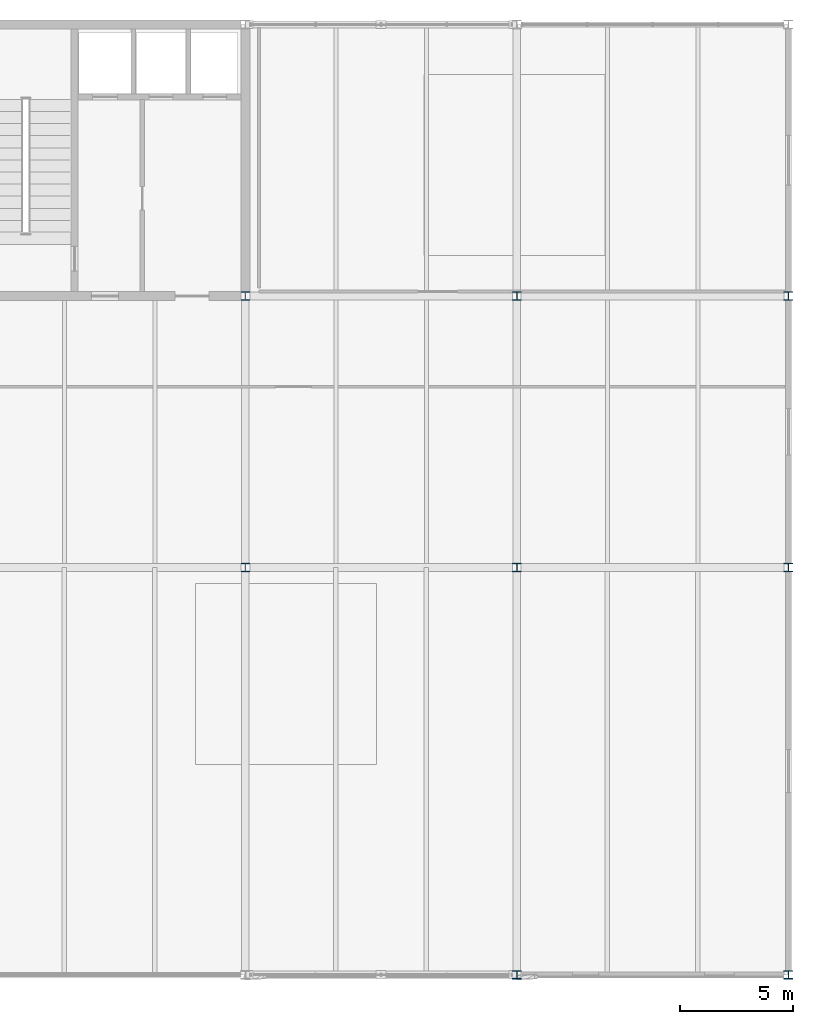
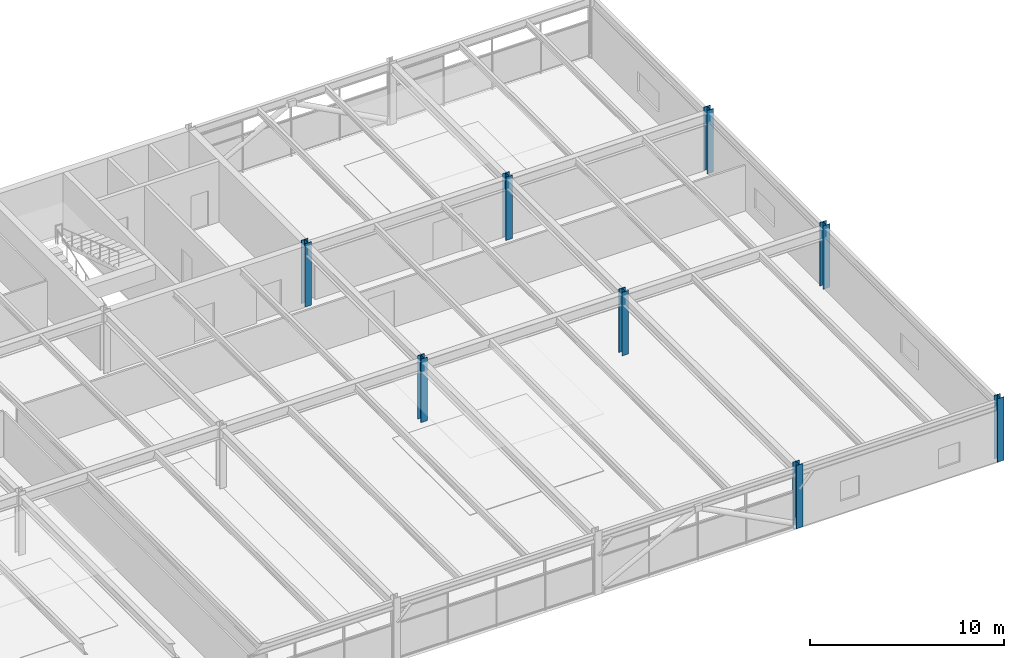
# One storey, part 5 of 52: 8 columns.
"""IFC4 building model written with IfcOpenShell, lengths in metres."""

import ifcopenshell
import ifcopenshell.guid

model = None  # the IFC model being written
_history = None  # IfcOwnerHistory: only IFC2X3 demands one
_inside = {}  # id of a spatial element -> (the spatial element, [elements in it])
_under = {}  # id of a project, library or spatial element -> (it, [spatial elements below it])
_declared = {}  # id of a project -> (the project, [libraries it declares])
_typed = {}  # id of a type object -> (the type object, [elements of that type])
_made_of = {}  # id of a material, layer set ... -> (it, [elements and type objects made of it])


def new_model(schema):
    """Start an empty IFC model of exactly this schema.

    Asked for "IFC4X3", IfcOpenShell would pick the latest addendum, in which some entities
    have other attributes; the version numbers below select the first issue.
    IFC2X3 requires an IfcOwnerHistory on every rooted entity: one is made here for all.
    """
    global model, _history
    if schema == "IFC4X3":
        model = ifcopenshell.file(schema_version=(4, 3, 0, 0))
    else:
        model = ifcopenshell.file(schema=schema)
    _inside.clear()
    _under.clear()
    _declared.clear()
    _typed.clear()
    _made_of.clear()
    _history = None
    if model.schema == "IFC2X3":
        org = make("IfcOrganization", Name="unknown")
        user = make(
            "IfcPersonAndOrganization",
            ThePerson=make("IfcPerson", FamilyName="unknown"),
            TheOrganization=org,
        )
        app = make(
            "IfcApplication",
            ApplicationDeveloper=org,
            Version="unknown",
            ApplicationFullName="unknown",
            ApplicationIdentifier="unknown",
        )
        _history = make(
            "IfcOwnerHistory",
            OwningUser=user,
            OwningApplication=app,
            ChangeAction="ADDED",
            CreationDate=0,
        )
    return model


def make(cls, **values):
    """One entity of the class cls with the attributes given. An attribute that is None is left unset."""
    return model.create_entity(
        cls, **{name: value for name, value in values.items() if value is not None}
    )


def rooted(cls, **values):
    """An entity with a GlobalId (a new one), such as an element, a storey or a relation."""
    return make(cls, GlobalId=ifcopenshell.guid.new(), OwnerHistory=_history, **values)


def si_unit(unit_type, name, prefix=None):
    """IfcSIUnit, for example si_unit("LENGTHUNIT", "METRE", prefix="MILLI")."""
    return make("IfcSIUnit", UnitType=unit_type, Prefix=prefix, Name=name)


def assignment(units):
    """IfcUnitAssignment: the units of a project."""
    return None if units is None else make("IfcUnitAssignment", Units=units)


def point(xyz):
    """IfcCartesianPoint."""
    return None if xyz is None else make("IfcCartesianPoint", Coordinates=xyz)


def direction(xyz):
    """IfcDirection."""
    return None if xyz is None else make("IfcDirection", DirectionRatios=xyz)


def frame(location, z_axis=None, x_axis=None):
    """IfcAxis2Placement3D, a coordinate frame: its origin and axes. An axis left out is left unset."""
    return make(
        "IfcAxis2Placement3D",
        Location=point(location),
        Axis=direction(z_axis),
        RefDirection=direction(x_axis),
    )


def frame_2d(location, x_axis=None):
    """IfcAxis2Placement2D, a coordinate frame in the plane: its origin and x axis."""
    return make(
        "IfcAxis2Placement2D", Location=point(location), RefDirection=direction(x_axis)
    )


def origin():
    """The frame at (0, 0, 0) with its axes left unset."""
    return frame((0.0, 0.0, 0.0))


def origin_2d():
    """The frame at (0, 0) in the plane with its x axis left unset."""
    return frame_2d((0.0, 0.0))


def place(relative_to, where):
    """IfcLocalPlacement: puts the frame where relative to a parent placement (None: the world)."""
    return make(
        "IfcLocalPlacement", PlacementRelTo=relative_to, RelativePlacement=where
    )


def context(
    kind, dimensions, precision=None, world=None, true_north=None, identifier=None
):
    """IfcGeometricRepresentationContext, for example the 3D "Model" context."""
    return make(
        "IfcGeometricRepresentationContext",
        ContextIdentifier=identifier,
        ContextType=kind,
        CoordinateSpaceDimension=dimensions,
        Precision=precision,
        WorldCoordinateSystem=world,
        TrueNorth=true_north,
    )


def subcontext(parent, identifier, kind, view, scale=None):
    """IfcGeometricRepresentationSubContext, for example "Body" below "Model"."""
    return make(
        "IfcGeometricRepresentationSubContext",
        ContextIdentifier=identifier,
        ContextType=kind,
        ParentContext=parent,
        TargetScale=scale,
        TargetView=view,
    )


def project(units=None, contexts=None):
    """IfcProject with its units and contexts."""
    return rooted(
        "IfcProject",
        Name="project",
        RepresentationContexts=contexts,
        UnitsInContext=assignment(units),
    )


def spatial(cls, under=None, at=None, **own):
    """A site, building, storey or space (cls), placed at a placement, below another one or the project."""
    s = rooted(cls, ObjectPlacement=at, **own)
    if under is not None:
        _under.setdefault(under.id(), (under, []))[1].append(s)
    return s


def profile(cls, at=None, kind="AREA", **sizes):
    """A parametric profile (cls). Its sizes go by their IFC names, for example OverallWidth=200.0."""
    return make(cls, ProfileType=kind, Position=at, **sizes)


def i_section(**sizes):
    """IfcIShapeProfileDef."""
    return profile("IfcIShapeProfileDef", **sizes)


def extrude(swept, where, along, depth):
    """IfcExtrudedAreaSolid: the profile swept, set in the frame where, extruded along a direction by depth."""
    return make(
        "IfcExtrudedAreaSolid",
        SweptArea=swept,
        Position=where,
        ExtrudedDirection=direction(along),
        Depth=depth,
    )


def shape(context_of_items, identifier, shape_type, items):
    """IfcShapeRepresentation: the items that make up one representation, for example the "Body"."""
    return make(
        "IfcShapeRepresentation",
        ContextOfItems=context_of_items,
        RepresentationIdentifier=identifier,
        RepresentationType=shape_type,
        Items=items,
    )


def material(Name=None, Category=None):
    """IfcMaterial."""
    return make("IfcMaterial", Name=Name, Category=Category)


def material_profile(
    of_material, cross_section, Name=None, Category=None, Priority=None
):
    """IfcMaterialProfile: a cross section and its material."""
    return make(
        "IfcMaterialProfile",
        Name=Name,
        Material=of_material,
        Profile=cross_section,
        Priority=Priority,
        Category=Category,
    )


def profile_set(profiles, Name=None, composite=None):
    """IfcMaterialProfileSet."""
    return make(
        "IfcMaterialProfileSet",
        Name=Name,
        MaterialProfiles=profiles,
        CompositeProfile=composite,
    )


def made_of(thing, what):
    """Note that an element or type object is made of a material, layer set ...; save() writes the relation."""
    if what is not None:
        _made_of.setdefault(what.id(), (what, []))[1].append(thing)
    return thing


def type_object(cls, material=None, **own):
    """A type object (cls), such as IfcWallType, which elements share."""
    return made_of(rooted(cls, **own), material)


def element(
    cls,
    number,
    at=None,
    inside=None,
    cuts=None,
    type_object=None,
    material=None,
    context=None,
    identifier="Body",
    shape_type=None,
    held_by="IfcProductDefinitionShape",
    body=None,
    shapes=None,
    **own,
):
    """One element of the class cls, such as IfcWall. Its Tag is "e" and its number.

    at: its placement. inside: the storey or other place that contains it. cuts: it is an
    opening in that element (IfcRelVoidsElement). A single representation is given by context,
    identifier, shape_type and body (its items); several are given by shapes. held_by: the class
    of the entity that holds the representations. save() writes the other relations.
    """
    e = rooted(cls, Tag="e%d" % number, ObjectPlacement=at, **own)
    if body is not None:
        shapes = [shape(context, identifier, shape_type, body)]
    if shapes is not None:
        e.Representation = make(held_by, Representations=shapes)
    if inside is not None:
        _inside.setdefault(inside.id(), (inside, []))[1].append(e)
    if cuts is not None:
        rooted(
            "IfcRelVoidsElement", RelatingBuildingElement=cuts, RelatedOpeningElement=e
        )
    if type_object is not None:
        _typed.setdefault(type_object.id(), (type_object, []))[1].append(e)
    return made_of(e, material)


def aggregate(whole, parts):
    """IfcRelAggregates: a whole, such as a stair, and the parts it consists of."""
    return rooted("IfcRelAggregates", RelatingObject=whole, RelatedObjects=parts)


def save(model, path):
    """Write the relations noted so far, then the file.

    IfcRelAggregates (storeys below a building ...), IfcRelContainedInSpatialStructure (elements
    in a storey), IfcRelDefinesByType, IfcRelAssociatesMaterial and IfcRelDeclares: one each for
    every whole, place, type object, material and project.
    """
    for whole, parts in _under.values():
        aggregate(whole, parts)
    for where, things in _inside.values():
        rooted(
            "IfcRelContainedInSpatialStructure",
            RelatedElements=things,
            RelatingStructure=where,
        )
    for kind, things in _typed.values():
        rooted("IfcRelDefinesByType", RelatedObjects=things, RelatingType=kind)
    for what, things in _made_of.values():
        rooted("IfcRelAssociatesMaterial", RelatedObjects=things, RelatingMaterial=what)
    for by, libraries in _declared.values():
        rooted("IfcRelDeclares", RelatingContext=by, RelatedDefinitions=libraries)
    model.write(path)


model = new_model("IFC4")

# Units and contexts
model_context = context("Model", 3, precision=1e-05, world=origin(), true_north=direction((0.0, 1.0)))
body_context = subcontext(model_context, "Body", "Model", "MODEL_VIEW")
ifc_project = project(units=[si_unit("LENGTHUNIT", "METRE"), si_unit("AREAUNIT", "SQUARE_METRE"), si_unit("VOLUMEUNIT", "CUBIC_METRE"), si_unit("PLANEANGLEUNIT", "RADIAN"), si_unit("MASSUNIT", "GRAM", prefix="KILO")], contexts=[model_context])

# Site, building, storey
site_placement = place(None, origin())
site = spatial("IfcSite", under=ifc_project, at=site_placement, CompositionType="ELEMENT")
building_placement = place(site_placement, origin())
building = spatial("IfcBuilding", under=site, at=building_placement, Name="Girod Span Mobility Hub", CompositionType="ELEMENT")
storey_placement = place(building_placement, frame((0.0, 0.0, 45.60009765625)))
storey = spatial("IfcBuildingStorey", under=building, at=storey_placement, Name="L11", CompositionType="ELEMENT", Elevation=45.60009765625)

# Columns
ifc_material_1 = material(Name="Steel A992 Grade 50", Category="steel")
ifc_material_profile_1 = material_profile(ifc_material_1, i_section(OverallWidth=0.39404296875, OverallDepth=0.375, WebThickness=0.017333984375, FlangeThickness=0.027587890625, FilletRadius=0.01806640625, at=origin_2d()), Name="W14X145")
ifc_profile_set_1 = profile_set([ifc_material_profile_1], Name="Steel A992 Grade 50")
column_type_1 = type_object("IfcColumnType", Name="COL-STL-W14X145", PredefinedType="COLUMN", material=ifc_profile_set_1)
for number, where, z_axis, x_axis, name in (
    (1, (132.0, 27.0, 0.0), (0.0, 0.0, 1.0), (1.0, 0.0, 0.0), "Column 12C L11"),
    (2, (132.0, 45.0, 0.0), (0.0, 0.0, 1.0), (1.0, 0.0, 0.0), "Column 12D L11"),
    (3, (132.0, 57.0, 0.0), (0.0, 0.0, 1.0), (1.0, 0.0, 0.0), "Column 12E L11"),
    (4, (144.0, 27.0, 0.0), (0.0, 0.0, 1.0), (1.0, 0.0, 0.0), "Column 13C L11"),
    (5, (144.0, 45.0, 0.0), (0.0, 0.0, 1.0), (1.0, 0.0, 0.0), "Column 13D L11"),
    (6, (144.0, 57.0, 0.0), (0.0, 0.0, 1.0), (1.0, 0.0, 0.0), "Column 13E L11"),
):
    element("IfcColumn", number, at=place(storey_placement, frame(where, z_axis=z_axis, x_axis=x_axis)), inside=storey, type_object=column_type_1, Name=name, PredefinedType="COLUMN", context=body_context, shape_type="SweptSolid", body=[
        extrude(i_section(OverallWidth=0.39404296875, OverallDepth=0.375, WebThickness=0.017333984375, FlangeThickness=0.027587890625, FilletRadius=0.01806640625, at=origin_2d()), origin(), (0.0, 0.0, 1.0), 4.0),
    ])
ifc_material_2 = material(Name="Steel A992 Grade 50", Category="steel")
ifc_material_profile_2 = material_profile(ifc_material_2, i_section(OverallWidth=0.39892578125, OverallDepth=0.39306640625, WebThickness=0.022705078125, FlangeThickness=0.03662109375, FilletRadius=0.01806640625, at=origin_2d()), Name="W14X193")
ifc_profile_set_2 = profile_set([ifc_material_profile_2], Name="Steel A992 Grade 50")
column_type_2 = type_object("IfcColumnType", Name="COL-STL-W14X193", PredefinedType="COLUMN", material=ifc_profile_set_2)
for number, where, z_axis, x_axis, name in (
    (7, (120.0, 45.0, 0.0), (0.0, 0.0, 1.0), (1.0, 0.0, 0.0), "Column 11D L11"),
    (8, (120.0, 57.0, 0.0), (0.0, 0.0, 1.0), (1.0, 0.0, 0.0), "Column 11E L11"),
):
    element("IfcColumn", number, at=place(storey_placement, frame(where, z_axis=z_axis, x_axis=x_axis)), inside=storey, type_object=column_type_2, Name=name, PredefinedType="COLUMN", context=body_context, shape_type="SweptSolid", body=[
        extrude(i_section(OverallWidth=0.39892578125, OverallDepth=0.39306640625, WebThickness=0.022705078125, FlangeThickness=0.03662109375, FilletRadius=0.01806640625, at=origin_2d()), origin(), (0.0, 0.0, 1.0), 4.0),
    ])

save(model, "model.ifc")
